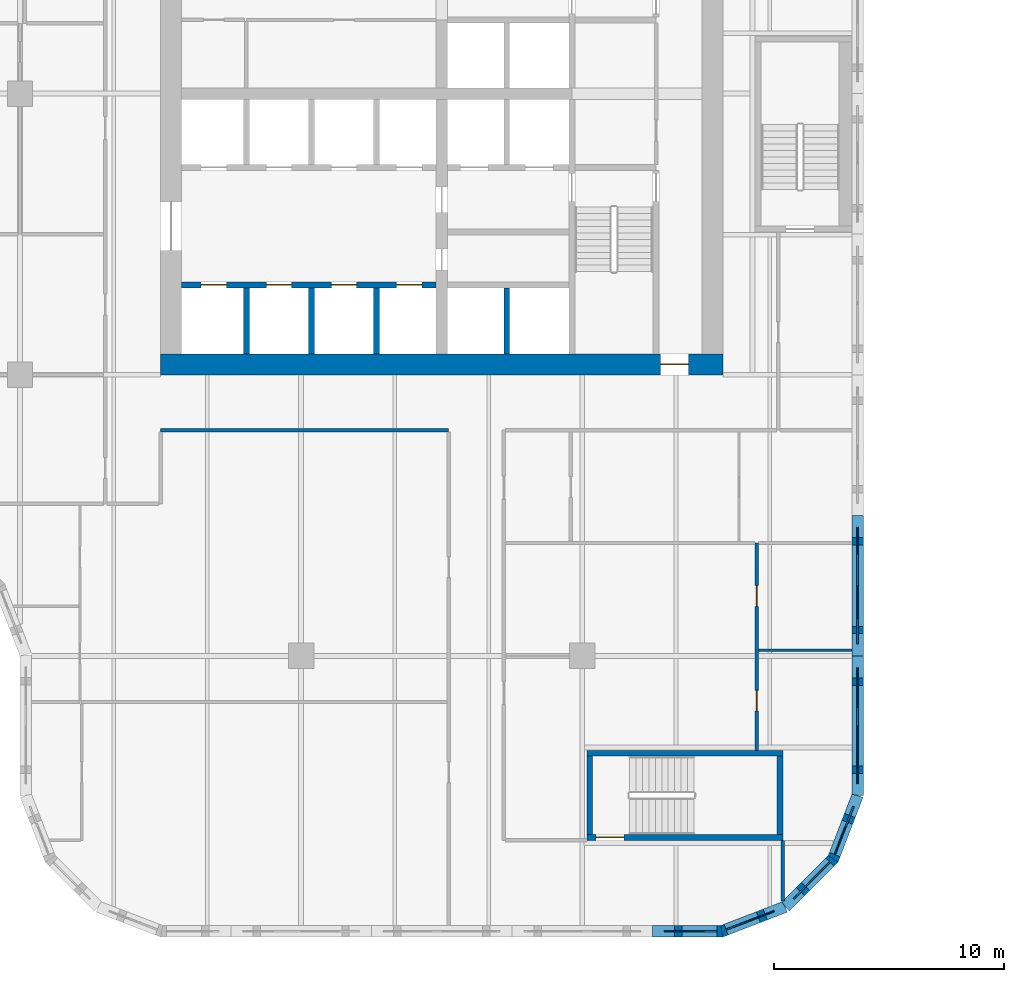
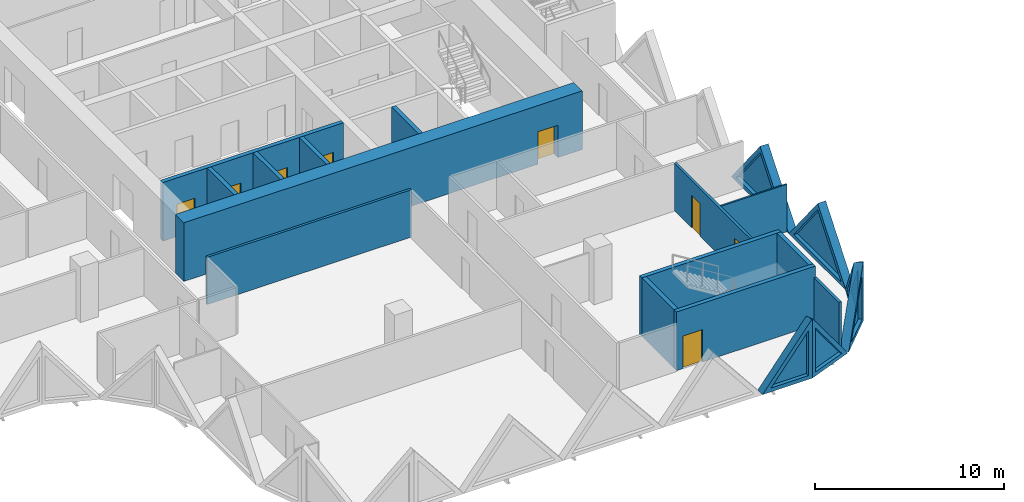
# One storey, part 6 of 19: 20 walls, 8 doors, 6 plates, 14 openings.
"""IFC4 building model written with IfcOpenShell, lengths in metres."""

from ifc_helpers import new_model, si_unit, direction, frame, frame_2d, origin, place, context, subcontext, project, spatial, polyline, rectangle, outline, extrude, faceted_brep, source, transform, mapped, material, layer, layer_set, type_object, element, fill, save


model = new_model("IFC4")

# Units and contexts
model_context = context("Model", 3, precision=1e-05, world=origin(), true_north=direction((0.0, 1.0)))
body_context = subcontext(model_context, "Body", "Model", "MODEL_VIEW")
ifc_project = project(units=[si_unit("LENGTHUNIT", "METRE"), si_unit("AREAUNIT", "SQUARE_METRE"), si_unit("VOLUMEUNIT", "CUBIC_METRE"), si_unit("PLANEANGLEUNIT", "RADIAN"), si_unit("MASSUNIT", "GRAM", prefix="KILO")], contexts=[model_context])

# Site, building, storey
site_placement = place(None, origin())
site = spatial("IfcSite", under=ifc_project, at=site_placement, CompositionType="ELEMENT")
building_placement = place(site_placement, origin())
building = spatial("IfcBuilding", under=site, at=building_placement, Name="Tessera Gate Towers", CompositionType="ELEMENT")
storey_placement = place(building_placement, frame((0.0, 0.0, 25.800048828125)))
storey = spatial("IfcBuildingStorey", under=building, at=storey_placement, Name="L05", CompositionType="ELEMENT", Elevation=25.800048828125)

# Wall, openings, doors
ifc_material_1 = material(Name="Concrete C40/50", Category="concrete")
ifc_layer_1 = layer(ifc_material_1, 0.25)
ifc_layer_set_1 = layer_set([ifc_layer_1], Name="CORE ENCLOSURE WALL 250")
wall_type_1 = type_object("IfcWallType", Name="CORE ENCLOSURE WALL 250", PredefinedType="SOLIDWALL", material=ifc_layer_set_1)
wall_1_placement = place(storey_placement, frame((31.39990234375, 28.300048828125, 0.0), z_axis=(0.0, 0.0, 1.0), x_axis=(1.0, 0.0, 0.0)))
wall_1 = element("IfcWall", 1, at=wall_1_placement, inside=storey, type_object=wall_type_1, Name="L05 shaft and stair enclosure wall", PredefinedType="SOLIDWALL", context=body_context, shape_type="SweptSolid", body=[
    extrude(rectangle(XDim=11.050048828125, YDim=0.25, at=frame_2d((5.52490234375, 0.0))), origin(), (0.0, 0.0, 1.0), 3.800048828125),
])
shared_shape_1 = source(origin(), body_context, "Body", "SweptSolid", [
    extrude(rectangle(XDim=1.10009765625, YDim=2.10009765625, at=frame_2d((0.550048828125, 1.050048828125))), frame((0.0, 0.135009765625, 0.0), z_axis=(0.0, -1.0, 0.0), x_axis=(1.0, 0.0, 0.0)), (0.0, 0.0, 1.0), 0.27001953125),
])
opening_1_placement = place(wall_1_placement, frame((0.862548828125, 0.0, 0.0)))
opening_1 = element("IfcOpeningElement", 2, at=opening_1_placement, cuts=wall_1, Name="Opening LD-LR1", PredefinedType="OPENING", context=body_context, shape_type="MappedRepresentation", body=[
    mapped(shared_shape_1, transform((0.0, 0.0, 0.0), scale=1.0)),
])
opening_2_placement = place(wall_1_placement, frame((3.6875, 0.0, 0.0)))
opening_2 = element("IfcOpeningElement", 3, at=opening_2_placement, cuts=wall_1, Name="Opening LD-LR2", PredefinedType="OPENING", context=body_context, shape_type="MappedRepresentation", body=[
    mapped(shared_shape_1, transform((0.0, 0.0, 0.0), scale=1.0)),
])
opening_3_placement = place(wall_1_placement, frame((6.512451171875, 0.0, 0.0)))
opening_3 = element("IfcOpeningElement", 4, at=opening_3_placement, cuts=wall_1, Name="Opening LD-LR3", PredefinedType="OPENING", context=body_context, shape_type="MappedRepresentation", body=[
    mapped(shared_shape_1, transform((0.0, 0.0, 0.0), scale=1.0)),
])
opening_4_placement = place(wall_1_placement, frame((9.33740234375, 0.0, 0.0)))
opening_4 = element("IfcOpeningElement", 5, at=opening_4_placement, cuts=wall_1, Name="Opening LD-LR4", PredefinedType="OPENING", context=body_context, shape_type="MappedRepresentation", body=[
    mapped(shared_shape_1, transform((0.0, 0.0, 0.0), scale=1.0)),
])
ifc_material_2 = material(Name="Stainless steel", Category="steel")
door_type_1 = type_object("IfcDoorType", Name="CORE DOOR LD 1100x2100", OperationType="DOUBLE_DOOR_SLIDING", PredefinedType="DOOR", material=ifc_material_2)
shared_shape_2 = source(origin(), body_context, "Body", "SweptSolid", [
    extrude(rectangle(XDim=1.10009765625, YDim=2.10009765625, at=frame_2d((0.550048828125, 1.050048828125))), frame((0.0, 0.02490234375, 0.0), z_axis=(0.0, -1.0, 0.0), x_axis=(1.0, 0.0, 0.0)), (0.0, 0.0, 1.0), 0.050048828125),
])
door_1_placement = place(opening_1_placement, origin())
door_1 = element("IfcDoor", 6, at=door_1_placement, inside=storey, type_object=door_type_1, Name="Landing door LR1 L05", OperationType="DOUBLE_DOOR_SLIDING", OverallHeight=2.10009765625, OverallWidth=1.10009765625, PredefinedType="DOOR", context=body_context, shape_type="MappedRepresentation", body=[
    mapped(shared_shape_2, transform((0.0, 0.0, 0.0), scale=1.0)),
])
fill(opening_1, door_1)
door_2_placement = place(opening_2_placement, origin())
door_2 = element("IfcDoor", 7, at=door_2_placement, inside=storey, type_object=door_type_1, Name="Landing door LR2 L05", OperationType="DOUBLE_DOOR_SLIDING", OverallHeight=2.10009765625, OverallWidth=1.10009765625, PredefinedType="DOOR", context=body_context, shape_type="MappedRepresentation", body=[
    mapped(shared_shape_2, transform((0.0, 0.0, 0.0), scale=1.0)),
])
fill(opening_2, door_2)
door_3_placement = place(opening_3_placement, origin())
door_3 = element("IfcDoor", 8, at=door_3_placement, inside=storey, type_object=door_type_1, Name="Landing door LR3 L05", OperationType="DOUBLE_DOOR_SLIDING", OverallHeight=2.10009765625, OverallWidth=1.10009765625, PredefinedType="DOOR", context=body_context, shape_type="MappedRepresentation", body=[
    mapped(shared_shape_2, transform((0.0, 0.0, 0.0), scale=1.0)),
])
fill(opening_3, door_3)
door_4_placement = place(opening_4_placement, origin())
door_4 = element("IfcDoor", 9, at=door_4_placement, inside=storey, type_object=door_type_1, Name="Landing door LR4 L05", OperationType="DOUBLE_DOOR_SLIDING", OverallHeight=2.10009765625, OverallWidth=1.10009765625, PredefinedType="DOOR", context=body_context, shape_type="MappedRepresentation", body=[
    mapped(shared_shape_2, transform((0.0, 0.0, 0.0), scale=1.0)),
])
fill(opening_4, door_4)

# Walls
for number, where, z_axis, x_axis, name in (
    (10, (34.22509765625, 25.300048828125, 0.0), (0.0, 0.0, 1.0), (0.0, 1.0, 0.0), "L05 shaft and stair enclosure wall"),
    (11, (37.050048828125, 25.300048828125, 0.0), (0.0, 0.0, 1.0), (0.0, 1.0, 0.0), "L05 shaft and stair enclosure wall"),
    (12, (39.875, 25.300048828125, 0.0), (0.0, 0.0, 1.0), (0.0, 1.0, 0.0), "L05 shaft and stair enclosure wall"),
    (13, (45.52490234375, 25.300048828125, 0.0), (0.0, 0.0, 1.0), (0.0, 1.0, 0.0), "L05 shaft and stair enclosure wall"),
):
    element("IfcWall", number, at=place(storey_placement, frame(where, z_axis=z_axis, x_axis=x_axis)), inside=storey, type_object=wall_type_1, Name=name, PredefinedType="SOLIDWALL", context=body_context, shape_type="SweptSolid", body=[
        extrude(rectangle(XDim=2.875, YDim=0.25, at=frame_2d((1.4375, 0.0))), origin(), (0.0, 0.0, 1.0), 3.800048828125),
    ])

# Wall, opening, door
wall_2_placement = place(storey_placement, frame((57.5, 4.324951171875, 0.0), z_axis=(0.0, 0.0, 1.0), x_axis=(-1.0, 0.0, 0.0)))
wall_2 = element("IfcWall", 14, at=wall_2_placement, inside=storey, type_object=wall_type_1, Name="L05 ST4 enclosure wall", PredefinedType="SOLIDWALL", context=body_context, shape_type="SweptSolid", body=[
    extrude(rectangle(XDim=8.5, YDim=0.25, at=frame_2d((4.25, 0.0))), origin(), (0.0, 0.0, 1.0), 3.800048828125),
])
shared_shape_3 = source(origin(), body_context, "Body", "SweptSolid", [
    extrude(rectangle(XDim=1.199951171875, YDim=2.10009765625, at=frame_2d((0.60009765625, 1.050048828125))), frame((0.0, 0.135009765625, 0.0), z_axis=(0.0, -1.0, 0.0), x_axis=(1.0, 0.0, 0.0)), (0.0, 0.0, 1.0), 0.27001953125),
])
opening_5_placement = place(wall_2_placement, frame((6.89990234375, 0.0, 0.0)))
opening_5 = element("IfcOpeningElement", 15, at=opening_5_placement, cuts=wall_2, Name="Opening SD-ST4-1", PredefinedType="OPENING", context=body_context, shape_type="MappedRepresentation", body=[
    mapped(shared_shape_3, transform((0.0, 0.0, 0.0), scale=1.0)),
])
ifc_material_3 = material(Name="Hollow steel fire door", Category="steel")
door_type_2 = type_object("IfcDoorType", Name="CORE DOOR SD 1200x2100", OperationType="NOTDEFINED", PredefinedType="DOOR", material=ifc_material_3)
shared_shape_4 = source(origin(), body_context, "Body", "SweptSolid", [
    extrude(rectangle(XDim=1.199951171875, YDim=2.10009765625, at=frame_2d((0.60009765625, 1.050048828125))), frame((0.0, 0.02490234375, 0.0), z_axis=(0.0, -1.0, 0.0), x_axis=(1.0, 0.0, 0.0)), (0.0, 0.0, 1.0), 0.050048828125),
])
door_5_placement = place(opening_5_placement, origin())
door_5 = element("IfcDoor", 16, at=door_5_placement, inside=storey, type_object=door_type_2, Name="Stair door", OperationType="SINGLE_SWING_RIGHT", OverallHeight=2.10009765625, OverallWidth=1.199951171875, PredefinedType="DOOR", context=body_context, shape_type="MappedRepresentation", body=[
    mapped(shared_shape_4, transform((0.0, 0.0, 0.0), scale=1.0)),
])
fill(opening_5, door_5)

# Walls
wall_3_placement = place(storey_placement, frame((49.125, 4.449951171875, 0.0), z_axis=(0.0, 0.0, 1.0), x_axis=(0.0, 1.0, 0.0)))
element("IfcWall", 17, at=wall_3_placement, inside=storey, type_object=wall_type_1, Name="L05 ST4 enclosure wall", PredefinedType="SOLIDWALL", context=body_context, shape_type="SweptSolid", body=[
    extrude(rectangle(XDim=3.400146484375, YDim=0.25, at=frame_2d((1.7001953125, 0.0))), origin(), (0.0, 0.0, 1.0), 3.800048828125),
])
wall_4_placement = place(storey_placement, frame((49.0, 7.97509765625, 0.0), z_axis=(0.0, 0.0, 1.0), x_axis=(1.0, 0.0, 0.0)))
element("IfcWall", 18, at=wall_4_placement, inside=storey, type_object=wall_type_1, Name="L05 ST4 enclosure wall", PredefinedType="SOLIDWALL", context=body_context, shape_type="SweptSolid", body=[
    extrude(rectangle(XDim=8.5, YDim=0.25, at=frame_2d((4.25, 0.0))), origin(), (0.0, 0.0, 1.0), 3.800048828125),
])
wall_5_placement = place(storey_placement, frame((57.375, 7.85009765625, 0.0), z_axis=(0.0, 0.0, 1.0), x_axis=(0.0, -1.0, 0.0)))
element("IfcWall", 19, at=wall_5_placement, inside=storey, type_object=wall_type_1, Name="L05 ST4 enclosure wall", PredefinedType="SOLIDWALL", context=body_context, shape_type="SweptSolid", body=[
    extrude(rectangle(XDim=3.400146484375, YDim=0.25, at=frame_2d((1.7001953125, 0.0))), origin(), (0.0, 0.0, 1.0), 3.800048828125),
])

# Wall, opening, door
ifc_material_4 = material(Name="Concrete C70/85", Category="concrete")
ifc_layer_2 = layer(ifc_material_4, 0.89990234375)
ifc_layer_set_2 = layer_set([ifc_layer_2], Name="CORE SHEAR WALL 900 C70/85")
wall_type_2 = type_object("IfcWallType", Name="CORE SHEAR WALL 900 C70/85", PredefinedType="SHEAR", material=ifc_layer_set_2)
wall_6_placement = place(storey_placement, frame((54.89990234375, 24.85009765625, 0.0), z_axis=(0.0, 0.0, 1.0), x_axis=(-1.0, 0.0, 0.0)))
wall_6 = element("IfcWall", 20, at=wall_6_placement, inside=storey, type_object=wall_type_2, Name="Core wall S L05", PredefinedType="SHEAR", context=body_context, shape_type="SweptSolid", body=[
    extrude(rectangle(XDim=24.39990234375, YDim=0.89990234375, at=frame_2d((12.199951171875, 0.0))), origin(), (0.0, 0.0, 1.0), 3.800048828125),
])
shared_shape_5 = source(origin(), body_context, "Body", "SweptSolid", [
    extrude(rectangle(XDim=1.199951171875, YDim=2.10009765625, at=frame_2d((0.60009765625, 1.050048828125))), frame((0.0, 0.4599609375, 0.0), z_axis=(0.0, -1.0, 0.0), x_axis=(1.0, 0.0, 0.0)), (0.0, 0.0, 1.0), 0.919921875),
])
opening_6_placement = place(wall_6_placement, frame((1.5, 0.0, 0.0)))
opening_6 = element("IfcOpeningElement", 21, at=opening_6_placement, cuts=wall_6, Name="Opening ED-T1-06-01", PredefinedType="OPENING", context=body_context, shape_type="MappedRepresentation", body=[
    mapped(shared_shape_5, transform((0.0, 0.0, 0.0), scale=1.0)),
])
ifc_material_5 = material(Name="Hollow steel fire door", Category="steel")
door_type_3 = type_object("IfcDoorType", Name="CORE DOOR ED 1200x2100", OperationType="NOTDEFINED", PredefinedType="DOOR", material=ifc_material_5)
door_6_placement = place(opening_6_placement, origin())
door_6 = element("IfcDoor", 22, at=door_6_placement, inside=storey, type_object=door_type_3, Name="Core exit door", OperationType="SINGLE_SWING_LEFT", OverallHeight=2.10009765625, OverallWidth=1.199951171875, PredefinedType="DOOR", context=body_context, shape_type="MappedRepresentation", body=[
    mapped(shared_shape_4, transform((0.0, 0.0, 0.0), scale=1.0)),
])
fill(opening_6, door_6)

# Walls
ifc_material_6 = material(Name="Gypsum board on steel studs, mineral wool", Category="steel")
ifc_layer_3 = layer(ifc_material_6, 0.14990234375)
ifc_layer_set_3 = layer_set([ifc_layer_3], Name="CORRIDOR WALL 150")
wall_type_3 = type_object("IfcWallType", Name="CORRIDOR WALL 150", PredefinedType="PARTITIONING", material=ifc_layer_set_3)
wall_7_placement = place(storey_placement, frame((57.5, 1.55908203125, 0.0), z_axis=(0.0, 0.0, 1.0), x_axis=(0.0, 1.0, 0.0)))
element("IfcWall", 23, at=wall_7_placement, inside=storey, type_object=wall_type_3, Name="T1-L05-PW-002", PredefinedType="PARTITIONING", context=body_context, shape_type="SweptSolid", body=[
    extrude(rectangle(XDim=2.640869140625, YDim=0.14990234375, at=frame_2d((1.3203125, 0.0))), origin(), (0.0, 0.0, 1.0), 3.06689453125),
])
wall_8_placement = place(storey_placement, frame((30.5, 22.0, 0.0), z_axis=(0.0, 0.0, 1.0), x_axis=(1.0, 0.0, 0.0)))
element("IfcWall", 24, at=wall_8_placement, inside=storey, type_object=wall_type_3, Name="T1-L05-PW-024", PredefinedType="PARTITIONING", context=body_context, shape_type="SweptSolid", body=[
    extrude(rectangle(XDim=12.5, YDim=0.14990234375, at=frame_2d((6.25, 0.0))), origin(), (0.0, 0.0, 1.0), 3.06689453125),
])
ifc_material_7 = material(Name="Gypsum board on steel studs", Category="steel")
ifc_layer_4 = layer(ifc_material_7, 0.10009765625)
ifc_layer_set_4 = layer_set([ifc_layer_4], Name="PARTITION 100")
wall_type_4 = type_object("IfcWallType", Name="PARTITION 100", PredefinedType="PARTITIONING", material=ifc_layer_set_4)
wall_9_placement = place(storey_placement, frame((56.450927734375, 12.447998046875, 0.0), z_axis=(0.0, 0.0, 1.0), x_axis=(1.0, 0.0, 0.0)))
element("IfcWall", 25, at=wall_9_placement, inside=storey, type_object=wall_type_4, Name="T1-L05-PW-012", PredefinedType="PARTITIONING", context=body_context, shape_type="SweptSolid", body=[
    extrude(rectangle(XDim=4.049072265625, YDim=0.10009765625, at=frame_2d((2.0244140625, 0.0))), origin(), (0.0, 0.0, 1.0), 3.06689453125),
])

# Wall, openings, doors
ifc_material_8 = material(Name="Gypsum board on steel studs, mineral wool", Category="steel")
ifc_layer_5 = layer(ifc_material_8, 0.14990234375)
ifc_layer_set_5 = layer_set([ifc_layer_5], Name="TENANCY WALL 150")
wall_type_5 = type_object("IfcWallType", Name="TENANCY WALL 150", PredefinedType="PARTITIONING", material=ifc_layer_set_5)
wall_10_placement = place(storey_placement, frame((56.375, 17.10009765625, 0.0), z_axis=(0.0, 0.0, 1.0), x_axis=(0.0, -1.0, 0.0)))
wall_10 = element("IfcWall", 26, at=wall_10_placement, inside=storey, type_object=wall_type_5, Name="T1-L05-PW-007", PredefinedType="PARTITIONING", context=body_context, shape_type="SweptSolid", body=[
    extrude(rectangle(XDim=9.0, YDim=0.14990234375, at=frame_2d((4.5, 0.0))), origin(), (0.0, 0.0, 1.0), 3.06689453125),
])
shared_shape_6 = source(origin(), body_context, "Body", "SweptSolid", [
    extrude(rectangle(XDim=0.89990234375, YDim=2.10009765625, at=frame_2d((0.449951171875, 1.050048828125))), frame((0.0, 0.0849609375, 0.0), z_axis=(0.0, -1.0, 0.0), x_axis=(1.0, 0.0, 0.0)), (0.0, 0.0, 1.0), 0.169921875),
])
opening_7_placement = place(wall_10_placement, frame((6.39990234375, 0.0, 0.0)))
opening_7 = element("IfcOpeningElement", 27, at=opening_7_placement, cuts=wall_10, Name="Opening D190-A02-05", PredefinedType="OPENING", context=body_context, shape_type="MappedRepresentation", body=[
    mapped(shared_shape_6, transform((0.0, 0.0, 0.0), scale=1.0)),
])
opening_8_placement = place(wall_10_placement, frame((1.852294921875, 0.0, 0.0)))
opening_8 = element("IfcOpeningElement", 28, at=opening_8_placement, cuts=wall_10, Name="Opening D190-A02-07", PredefinedType="OPENING", context=body_context, shape_type="MappedRepresentation", body=[
    mapped(shared_shape_6, transform((0.0, 0.0, 0.0), scale=1.0)),
])
ifc_material_9 = material(Name="Timber door leaf in steel frame", Category="steel")
door_type_4 = type_object("IfcDoorType", Name="INTERNAL DOOR 900 NOT RATED", OperationType="NOTDEFINED", PredefinedType="DOOR", material=ifc_material_9)
shared_shape_7 = source(origin(), body_context, "Body", "SweptSolid", [
    extrude(rectangle(XDim=0.89990234375, YDim=2.10009765625, at=frame_2d((0.449951171875, 1.050048828125))), frame((0.0, 0.02490234375, 0.0), z_axis=(0.0, -1.0, 0.0), x_axis=(1.0, 0.0, 0.0)), (0.0, 0.0, 1.0), 0.050048828125),
])
door_7_placement = place(opening_7_placement, origin())
door_7 = element("IfcDoor", 29, at=door_7_placement, inside=storey, type_object=door_type_4, Name="T1-L05-PD-006", OperationType="SINGLE_SWING_RIGHT", OverallHeight=2.10009765625, OverallWidth=0.89990234375, PredefinedType="DOOR", context=body_context, shape_type="MappedRepresentation", body=[
    mapped(shared_shape_7, transform((0.0, 0.0, 0.0), scale=1.0)),
])
fill(opening_7, door_7)
door_8_placement = place(opening_8_placement, origin())
door_8 = element("IfcDoor", 30, at=door_8_placement, inside=storey, type_object=door_type_4, Name="T1-L05-PD-008", OperationType="SINGLE_SWING_RIGHT", OverallHeight=2.10009765625, OverallWidth=0.89990234375, PredefinedType="DOOR", context=body_context, shape_type="MappedRepresentation", body=[
    mapped(shared_shape_7, transform((0.0, 0.0, 0.0), scale=1.0)),
])
fill(opening_8, door_8)

# Wall, opening, plate
ifc_material_10 = material(Name="Precast concrete C60/75 white", Category="concrete")
ifc_layer_6 = layer(ifc_material_10, 0.5)
ifc_layer_set_6 = layer_set([ifc_layer_6], Name="TS2 half tessera")
wall_type_6 = type_object("IfcWallType", Name="TS2 half tessera", PredefinedType="SOLIDWALL", material=ifc_layer_set_6)
shared_shape_8 = source(origin(), body_context, "Body", "SweptSolid", [
    extrude(outline(polyline([(6.10009765625, 0.0), (3.050048828125, 3.800048828125), (0.0, 0.0), (6.10009765625, 0.0)])), frame((0.0, 0.25, 0.0), z_axis=(0.0, -1.0, 0.0), x_axis=(1.0, 0.0, 0.0)), (0.0, 0.0, 1.0), 0.5),
])
wall_11_placement = place(storey_placement, frame((60.75, 12.199951171875, 0.0), z_axis=(0.0, 0.0, 1.0), x_axis=(0.0, 1.0, 0.0)))
wall_11 = element("IfcWall", 31, at=wall_11_placement, inside=storey, type_object=wall_type_6, Name="Precast half tessera T1 TS2-0050", PredefinedType="SOLIDWALL", context=body_context, shape_type="MappedRepresentation", body=[
    mapped(shared_shape_8, transform((0.0, 0.0, 0.0), scale=1.0)),
])
shared_shape_9 = source(origin(), body_context, "Body", "SweptSolid", [
    extrude(outline(polyline([(5.578857421875, 0.25), (3.050048828125, 3.400634765625), (0.521240234375, 0.25), (5.578857421875, 0.25)])), frame((0.0, 0.260009765625, 0.0), z_axis=(0.0, -1.0, 0.0), x_axis=(1.0, 0.0, 0.0)), (0.0, 0.0, 1.0), 0.52001953125),
])
opening_9_placement = place(wall_11_placement, origin())
opening_9 = element("IfcOpeningElement", 32, at=opening_9_placement, cuts=wall_11, Name="Opening T1-PL1-0104", PredefinedType="OPENING", context=body_context, shape_type="MappedRepresentation", body=[
    mapped(shared_shape_9, transform((0.0, 0.0, 0.0), scale=1.0)),
])
ifc_material_11 = material(Name="Low-e laminated glass", Category="glass")
ifc_layer_7 = layer(ifc_material_11, 0.06005859375)
ifc_layer_set_7 = layer_set([ifc_layer_7], Name="PL1 triangular pane")
plate_type = type_object("IfcPlateType", Name="PL1 triangular pane", PredefinedType="SHEET", material=ifc_layer_set_7)
shared_shape_10 = source(origin(), body_context, "Body", "SweptSolid", [
    extrude(outline(polyline([(5.578857421875, 0.25), (3.050048828125, 3.400634765625), (0.521240234375, 0.25), (5.578857421875, 0.25)])), frame((0.0, 0.030029296875, 0.0), z_axis=(0.0, -1.0, 0.0), x_axis=(1.0, 0.0, 0.0)), (0.0, 0.0, 1.0), 0.06005859375),
])
plate_1_placement = place(opening_9_placement, origin())
plate_1 = element("IfcPlate", 33, at=plate_1_placement, inside=storey, type_object=plate_type, Name="Glass pane T1 PL1-0104", PredefinedType="SHEET", context=body_context, shape_type="MappedRepresentation", body=[
    mapped(shared_shape_10, transform((0.0, 0.0, 0.0), scale=1.0)),
])
fill(opening_9, plate_1)

ifc_material_12 = material(Name="Precast concrete C60/75 white", Category="concrete")
ifc_layer_8 = layer(ifc_material_12, 0.5)
ifc_layer_set_8 = layer_set([ifc_layer_8], Name="TS3 corner tessera")
wall_type_7 = type_object("IfcWallType", Name="TS3 corner tessera", PredefinedType="SOLIDWALL", material=ifc_layer_set_8)
shared_shape_11 = source(origin(), body_context, "Body", "Brep", [
    faceted_brep([(3.050048828125, -0.25, 3.739990234375), (3.00341796875, -0.25, 3.800048828125), (0.0, -0.25, 0.0), (3.050048828125, -0.25, 0.0), (0.0, 0.25, 0.0), (2.956787109375, 0.25, 3.7412109375), (2.956787109375, 0.25, 0.0), (3.00341796875, 0.000244140625, 3.800048828125)], [[[0, 1, 2, 3]], [[4, 5, 6]], [[7, 1, 0]], [[5, 4, 2, 1, 7]], [[4, 6, 3, 2]], [[3, 6, 5, 7, 0]]]),
])
wall_12_placement = place(storey_placement, frame((51.85009765625, 0.25, 0.0), z_axis=(0.0, 0.0, 1.0), x_axis=(1.0, 0.0, 0.0)))
wall_12 = element("IfcWall", 34, at=wall_12_placement, inside=storey, type_object=wall_type_7, Name="Precast corner tessera T1 TS3-0075", PredefinedType="SOLIDWALL", context=body_context, shape_type="MappedRepresentation", body=[
    mapped(shared_shape_11, transform((0.0, 0.0, 0.0), scale=1.0)),
])
shared_shape_12 = source(origin(), body_context, "Body", "SweptSolid", [
    extrude(outline(polyline([(2.803466796875, 3.143798828125), (0.516357421875, 0.25), (2.803466796875, 0.25), (2.803466796875, 3.143798828125)])), frame((0.0, 0.260009765625, 0.0), z_axis=(0.0, -1.0, 0.0), x_axis=(1.0, 0.0, 0.0)), (0.0, 0.0, 1.0), 0.52001953125),
])
opening_10_placement = place(wall_12_placement, origin())
opening_10 = element("IfcOpeningElement", 35, at=opening_10_placement, cuts=wall_12, Name="Opening T1-PL1-0099", PredefinedType="OPENING", context=body_context, shape_type="MappedRepresentation", body=[
    mapped(shared_shape_12, transform((0.0, 0.0, 0.0), scale=1.0)),
])
shared_shape_13 = source(origin(), body_context, "Body", "SweptSolid", [
    extrude(outline(polyline([(2.803466796875, 3.143798828125), (0.516357421875, 0.25), (2.803466796875, 0.25), (2.803466796875, 3.143798828125)])), frame((0.0, 0.030029296875, 0.0), z_axis=(0.0, -1.0, 0.0), x_axis=(1.0, 0.0, 0.0)), (0.0, 0.0, 1.0), 0.06005859375),
])
plate_2_placement = place(opening_10_placement, origin())
plate_2 = element("IfcPlate", 36, at=plate_2_placement, inside=storey, type_object=plate_type, Name="Glass pane T1 PL1-0099", PredefinedType="SHEET", context=body_context, shape_type="MappedRepresentation", body=[
    mapped(shared_shape_13, transform((0.0, 0.0, 0.0), scale=1.0)),
])
fill(opening_10, plate_2)

shared_shape_14 = source(origin(), body_context, "Body", "Brep", [
    faceted_brep([(2.9970703125, -0.25, 0.0), (0.046630859375, -0.25, 3.800048828125), (0.0, -0.25, 3.7412109375), (0.0, -0.25, 0.0), (0.09326171875, 0.25, 3.739990234375), (2.9443359375, 0.25, 0.068115234375), (2.9443359375, 0.25, 0.0), (0.09326171875, 0.25, 0.0), (0.046630859375, 0.0, 3.800048828125), (2.9970703125, 0.00048828125, 0.0)], [[[0, 1, 2, 3]], [[4, 5, 6, 7]], [[5, 4, 8, 1, 0, 9]], [[2, 1, 8]], [[7, 6, 9, 0, 3]], [[7, 3, 2, 8, 4]], [[9, 6, 5]]]),
])
wall_13_placement = place(storey_placement, frame((54.81005859375, 0.233154296875, 0.0), z_axis=(0.0, 0.0, 1.0), x_axis=(0.932990326376, 0.359901446078, 0.0)))
wall_13 = element("IfcWall", 37, at=wall_13_placement, inside=storey, type_object=wall_type_7, Name="Precast corner tessera T1 TS3-0076", PredefinedType="SOLIDWALL", context=body_context, shape_type="MappedRepresentation", body=[
    mapped(shared_shape_14, transform((0.0, 0.0, 0.0), scale=1.0)),
])
shared_shape_15 = source(origin(), body_context, "Body", "SweptSolid", [
    extrude(outline(polyline([(2.486572265625, 0.25), (0.24658203125, 3.134765625), (0.24658203125, 0.25), (2.486572265625, 0.25)])), frame((0.0, 0.260009765625, 0.0), z_axis=(0.0, -1.0, 0.0), x_axis=(1.0, 0.0, 0.0)), (0.0, 0.0, 1.0), 0.52001953125),
])
opening_11_placement = place(wall_13_placement, origin())
opening_11 = element("IfcOpeningElement", 38, at=opening_11_placement, cuts=wall_13, Name="Opening T1-PL1-0100", PredefinedType="OPENING", context=body_context, shape_type="MappedRepresentation", body=[
    mapped(shared_shape_15, transform((0.0, 0.0, 0.0), scale=1.0)),
])
shared_shape_16 = source(origin(), body_context, "Body", "SweptSolid", [
    extrude(outline(polyline([(2.486572265625, 0.25), (0.24658203125, 3.134765625), (0.24658203125, 0.25), (2.486572265625, 0.25)])), frame((0.0, 0.030029296875, 0.0), z_axis=(0.0, -1.0, 0.0), x_axis=(1.0, 0.0, 0.0)), (0.0, 0.0, 1.0), 0.06005859375),
])
plate_3_placement = place(opening_11_placement, origin())
plate_3 = element("IfcPlate", 39, at=plate_3_placement, inside=storey, type_object=plate_type, Name="Glass pane T1 PL1-0100", PredefinedType="SHEET", context=body_context, shape_type="MappedRepresentation", body=[
    mapped(shared_shape_16, transform((0.0, 0.0, 0.0), scale=1.0)),
])
fill(opening_11, plate_3)

shared_shape_17 = source(origin(), body_context, "Body", "Brep", [
    faceted_brep([(2.9970703125, -0.25, 3.73193359375), (2.944091796875, -0.25, 3.800048828125), (0.0, -0.25, 0.0), (2.9970703125, -0.25, 0.0), (0.052978515625, 0.25, 0.068359375), (2.89111328125, 0.25, 3.73193359375), (2.89111328125, 0.25, 0.0), (0.052978515625, 0.25, 0.0), (2.944091796875, 0.000244140625, 3.800048828125), (0.0, 0.0, 0.0)], [[[0, 1, 2, 3]], [[4, 5, 6, 7]], [[8, 1, 0]], [[5, 4, 9, 2, 1, 8]], [[7, 6, 3, 2, 9]], [[7, 9, 4]], [[3, 6, 5, 8, 0]]]),
])
wall_14_placement = place(storey_placement, frame((57.606201171875, 1.31201171875, 0.0), z_axis=(0.0, 0.0, 1.0), x_axis=(0.707147509625, 0.707066050402, 0.0)))
wall_14 = element("IfcWall", 40, at=wall_14_placement, inside=storey, type_object=wall_type_7, Name="Precast corner tessera T1 TS3-0077", PredefinedType="SOLIDWALL", context=body_context, shape_type="MappedRepresentation", body=[
    mapped(shared_shape_17, transform((0.0, 0.0, 0.0), scale=1.0)),
])
shared_shape_18 = source(origin(), body_context, "Body", "SweptSolid", [
    extrude(outline(polyline([(2.744140625, 3.133544921875), (0.510009765625, 0.25), (2.744140625, 0.25), (2.744140625, 3.133544921875)])), frame((0.0, 0.260009765625, 0.0), z_axis=(0.0, -1.0, 0.0), x_axis=(1.0, 0.0, 0.0)), (0.0, 0.0, 1.0), 0.52001953125),
])
opening_12_placement = place(wall_14_placement, origin())
opening_12 = element("IfcOpeningElement", 41, at=opening_12_placement, cuts=wall_14, Name="Opening T1-PL1-0101", PredefinedType="OPENING", context=body_context, shape_type="MappedRepresentation", body=[
    mapped(shared_shape_18, transform((0.0, 0.0, 0.0), scale=1.0)),
])
shared_shape_19 = source(origin(), body_context, "Body", "SweptSolid", [
    extrude(outline(polyline([(2.744140625, 3.133544921875), (0.510009765625, 0.25), (2.744140625, 0.25), (2.744140625, 3.133544921875)])), frame((0.0, 0.030029296875, 0.0), z_axis=(0.0, -1.0, 0.0), x_axis=(1.0, 0.0, 0.0)), (0.0, 0.0, 1.0), 0.06005859375),
])
plate_4_placement = place(opening_12_placement, origin())
plate_4 = element("IfcPlate", 42, at=plate_4_placement, inside=storey, type_object=plate_type, Name="Glass pane T1 PL1-0101", PredefinedType="SHEET", context=body_context, shape_type="MappedRepresentation", body=[
    mapped(shared_shape_19, transform((0.0, 0.0, 0.0), scale=1.0)),
])
fill(opening_12, plate_4)

shared_shape_20 = source(origin(), body_context, "Body", "Brep", [
    faceted_brep([(3.00341796875, -0.25, 0.0), (0.052978515625, -0.25, 3.800048828125), (0.0, -0.25, 3.731689453125), (0.0, -0.25, 0.0), (0.10595703125, 0.25, 3.73193359375), (2.95703125, 0.25, 0.059814453125), (2.95703125, 0.25, 0.0), (0.10595703125, 0.25, 0.0), (0.052978515625, 0.0, 3.800048828125), (3.00341796875, 0.00048828125, 0.0)], [[[0, 1, 2, 3]], [[4, 5, 6, 7]], [[5, 4, 8, 1, 0, 9]], [[2, 1, 8]], [[7, 6, 9, 0, 3]], [[7, 3, 2, 8, 4]], [[9, 6, 5]]]),
])
wall_15_placement = place(storey_placement, frame((59.6689453125, 3.34423828125, 0.0), z_axis=(0.0, 0.0, 1.0), x_axis=(0.35992665181, 0.932980602862, 0.0)))
wall_15 = element("IfcWall", 43, at=wall_15_placement, inside=storey, type_object=wall_type_7, Name="Precast corner tessera T1 TS3-0078", PredefinedType="SOLIDWALL", context=body_context, shape_type="MappedRepresentation", body=[
    mapped(shared_shape_20, transform((0.0, 0.0, 0.0), scale=1.0)),
])
shared_shape_21 = source(origin(), body_context, "Body", "SweptSolid", [
    extrude(outline(polyline([(2.492919921875, 0.25), (0.2529296875, 3.134765625), (0.2529296875, 0.25), (2.492919921875, 0.25)])), frame((0.0, 0.260009765625, 0.0), z_axis=(0.0, -1.0, 0.0), x_axis=(1.0, 0.0, 0.0)), (0.0, 0.0, 1.0), 0.52001953125),
])
opening_13_placement = place(wall_15_placement, origin())
opening_13 = element("IfcOpeningElement", 44, at=opening_13_placement, cuts=wall_15, Name="Opening T1-PL1-0102", PredefinedType="OPENING", context=body_context, shape_type="MappedRepresentation", body=[
    mapped(shared_shape_21, transform((0.0, 0.0, 0.0), scale=1.0)),
])
shared_shape_22 = source(origin(), body_context, "Body", "SweptSolid", [
    extrude(outline(polyline([(2.492919921875, 0.25), (0.2529296875, 3.134765625), (0.2529296875, 0.25), (2.492919921875, 0.25)])), frame((0.0, 0.030029296875, 0.0), z_axis=(0.0, -1.0, 0.0), x_axis=(1.0, 0.0, 0.0)), (0.0, 0.0, 1.0), 0.06005859375),
])
plate_5_placement = place(opening_13_placement, origin())
plate_5 = element("IfcPlate", 45, at=plate_5_placement, inside=storey, type_object=plate_type, Name="Glass pane T1 PL1-0102", PredefinedType="SHEET", context=body_context, shape_type="MappedRepresentation", body=[
    mapped(shared_shape_22, transform((0.0, 0.0, 0.0), scale=1.0)),
])
fill(opening_13, plate_5)

shared_shape_23 = source(origin(), body_context, "Body", "Brep", [
    faceted_brep([(6.053466796875, -0.25, 0.0), (3.00341796875, -0.25, 3.800048828125), (0.0, -0.25, 0.0), (0.046630859375, 0.25, 0.058837890625), (3.00341796875, 0.25, 3.800048828125), (6.053466796875, 0.25, 0.0), (0.046630859375, 0.25, 0.0), (0.0, 0.0, 0.0)], [[[0, 1, 2]], [[3, 4, 5, 6]], [[5, 4, 1, 0]], [[4, 3, 7, 2, 1]], [[6, 5, 0, 2, 7]], [[6, 7, 3]]]),
])
wall_16_placement = place(storey_placement, frame((60.75, 6.146484375, 0.0), z_axis=(0.0, 0.0, 1.0), x_axis=(0.0, 1.0, 0.0)))
wall_16 = element("IfcWall", 46, at=wall_16_placement, inside=storey, type_object=wall_type_6, Name="Precast half tessera T1 TS2-0049", PredefinedType="SOLIDWALL", context=body_context, shape_type="MappedRepresentation", body=[
    mapped(shared_shape_23, transform((0.0, 0.0, 0.0), scale=1.0)),
])
shared_shape_24 = source(origin(), body_context, "Body", "SweptSolid", [
    extrude(outline(polyline([(5.5322265625, 0.25), (3.0048828125, 3.398681640625), (0.516357421875, 0.25), (5.5322265625, 0.25)])), frame((0.0, 0.260009765625, 0.0), z_axis=(0.0, -1.0, 0.0), x_axis=(1.0, 0.0, 0.0)), (0.0, 0.0, 1.0), 0.52001953125),
])
opening_14_placement = place(wall_16_placement, origin())
opening_14 = element("IfcOpeningElement", 47, at=opening_14_placement, cuts=wall_16, Name="Opening T1-PL1-0103", PredefinedType="OPENING", context=body_context, shape_type="MappedRepresentation", body=[
    mapped(shared_shape_24, transform((0.0, 0.0, 0.0), scale=1.0)),
])
shared_shape_25 = source(origin(), body_context, "Body", "SweptSolid", [
    extrude(outline(polyline([(5.5322265625, 0.25), (3.0048828125, 3.398681640625), (0.516357421875, 0.25), (5.5322265625, 0.25)])), frame((0.0, 0.030029296875, 0.0), z_axis=(0.0, -1.0, 0.0), x_axis=(1.0, 0.0, 0.0)), (0.0, 0.0, 1.0), 0.06005859375),
])
plate_6_placement = place(opening_14_placement, origin())
plate_6 = element("IfcPlate", 48, at=plate_6_placement, inside=storey, type_object=plate_type, Name="Glass pane T1 PL1-0103", PredefinedType="SHEET", context=body_context, shape_type="MappedRepresentation", body=[
    mapped(shared_shape_25, transform((0.0, 0.0, 0.0), scale=1.0)),
])
fill(opening_14, plate_6)

save(model, "model.ifc")
